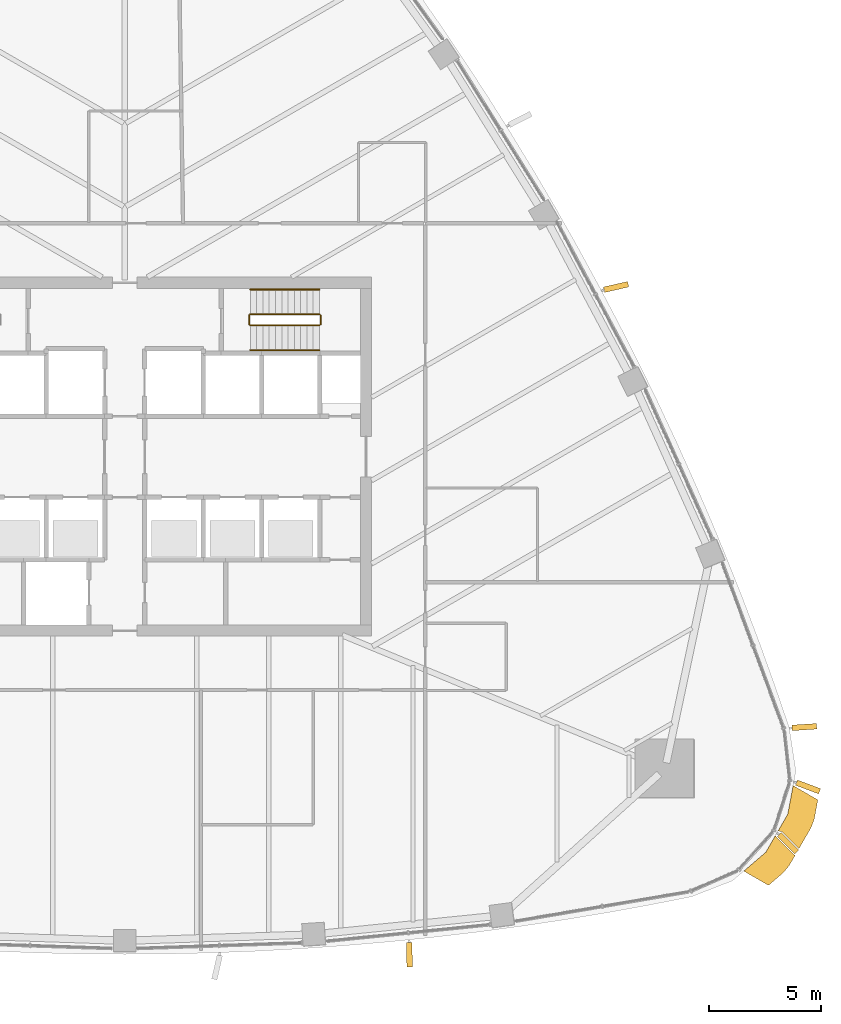
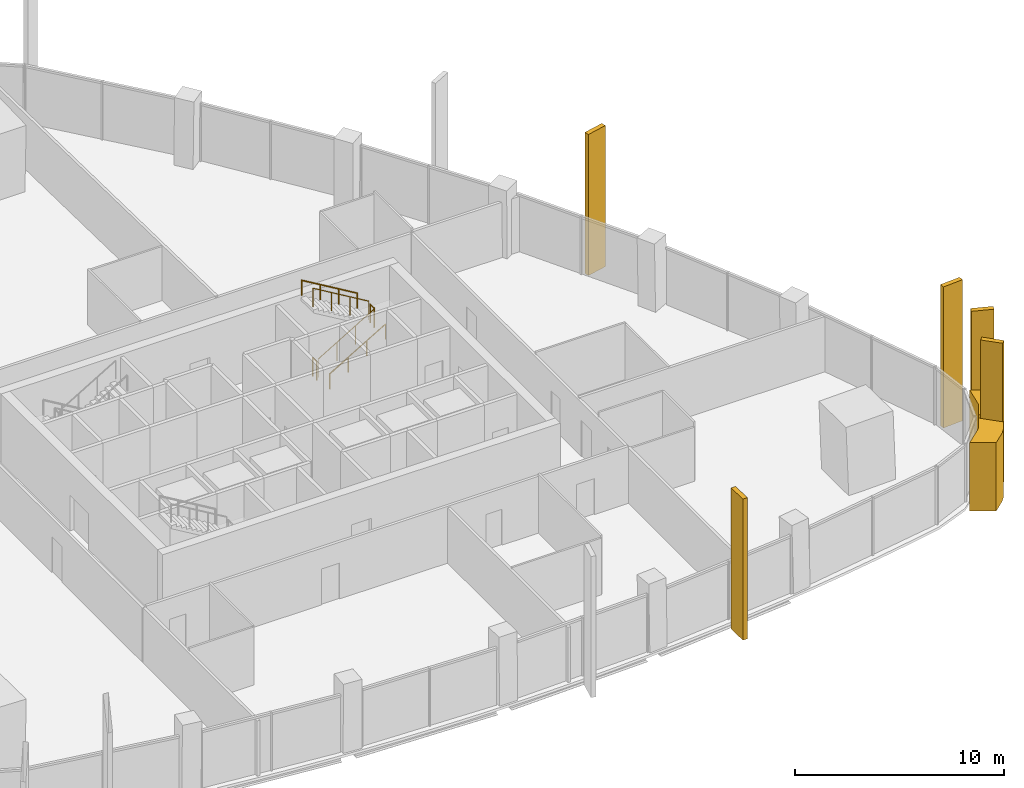
# One storey, part 18 of 20: 7 coverings, 6 railings.
"""IFC4 building model written with IfcOpenShell, lengths in metres."""

from ifc_helpers import new_model, si_unit, direction, frame, origin, origin_2d, place, context, subcontext, project, spatial, polyline, rectangle, circle, outline, extrude, material, layer, layer_set, material_profile, profile_set, type_object, element, save


model = new_model("IFC4")

# Units and contexts
model_context = context("Model", 3, precision=1e-05, world=origin(), true_north=direction((0.0, 1.0)))
body_context = subcontext(model_context, "Body", "Model", "MODEL_VIEW")
ifc_project = project(units=[si_unit("LENGTHUNIT", "METRE"), si_unit("AREAUNIT", "SQUARE_METRE"), si_unit("VOLUMEUNIT", "CUBIC_METRE"), si_unit("PLANEANGLEUNIT", "RADIAN"), si_unit("MASSUNIT", "GRAM", prefix="KILO")], contexts=[model_context])

# Site, building, storey
site_placement = place(None, origin())
site = spatial("IfcSite", under=ifc_project, at=site_placement, CompositionType="ELEMENT")
building_placement = place(site_placement, origin())
building = spatial("IfcBuilding", under=site, at=building_placement, Name="Sierra Prisma Convention Tower", CompositionType="ELEMENT")
storey_placement = place(building_placement, frame((0.0, 0.0, 161.800048828125)))
storey = spatial("IfcBuildingStorey", under=building, at=storey_placement, Name="L35", CompositionType="ELEMENT", Elevation=161.800048828125)

# Coverings
ifc_material_1 = material(Name="Aluminium composite bronze anodised", Category="aluminium")
ifc_layer = layer(ifc_material_1, 1.199951171875)
ifc_layer_set = layer_set([ifc_layer], Name="Bronze corner pier")
covering_type_1 = type_object("IfcCoveringType", Name="Bronze corner pier", PredefinedType="CLADDING", material=ifc_layer_set)
covering_1_placement = place(storey_placement, frame((0.0, 0.0, -0.60009765625)))
element("IfcCovering", 1, at=covering_1_placement, inside=storey, type_object=covering_type_1, Name="Corner pier SE L35.1", PredefinedType="CLADDING", context=body_context, shape_type="SweptSolid", body=[
    extrude(outline(polyline([(29.829345703125, -17.747802734375), (29.833740234375, -17.75), (29.83837890625, -17.751708984375), (29.84326171875, -17.752685546875), (29.847900390625, -17.75341796875), (29.852783203125, -17.75390625), (29.85791015625, -17.75341796875), (29.86279296875, -17.752685546875), (29.867431640625, -17.751708984375), (29.8720703125, -17.75), (29.87646484375, -17.747802734375), (29.880615234375, -17.745361328125), (29.884765625, -17.742431640625), (29.88818359375, -17.739013671875), (29.892578125, -17.73486328125), (29.6083984375, -18.226806640625), (29.3505859375, -18.53759765625), (28.68994140625, -19.1044921875), (27.58837890625, -18.468505859375), (28.5693359375, -17.626708984375), (29.00244140625, -16.87646484375), (29.028564453125, -16.94384765625), (29.030517578125, -16.94873046875), (29.033203125, -16.953125), (29.036376953125, -16.95751953125), (29.039794921875, -16.961181640625), (29.817626953125, -17.739013671875), (29.8212890625, -17.742431640625), (29.8251953125, -17.745361328125), (29.829345703125, -17.747802734375)])), origin(), (0.0, 0.0, 1.0), 4.0),
])
covering_2_placement = place(storey_placement, frame((0.0, 0.0, -0.60009765625)))
element("IfcCovering", 2, at=covering_2_placement, inside=storey, type_object=covering_type_1, Name="Corner pier SE L35.2", PredefinedType="CLADDING", context=body_context, shape_type="SweptSolid", body=[
    extrude(outline(polyline([(29.26611328125, -16.701171875), (29.26123046875, -16.7001953125), (29.25634765625, -16.699462890625), (29.1123046875, -16.6865234375), (29.5498046875, -15.928466796875), (29.788330078125, -14.657958984375), (30.889892578125, -15.2939453125), (30.729248046875, -16.149658203125), (30.589111328125, -16.5283203125), (30.044677734375, -17.47119140625), (29.287353515625, -16.7138671875), (29.28369140625, -16.71044921875), (29.279541015625, -16.70751953125), (29.275390625, -16.705078125), (29.270751953125, -16.702880859375), (29.26611328125, -16.701171875)])), origin(), (0.0, 0.0, 1.0), 4.0),
])
ifc_material_2 = material(Name="Aluminium 6063-T6 bronze anodised", Category="aluminium")
ifc_material_profile = material_profile(ifc_material_2, rectangle(XDim=1.10009765625, YDim=0.25, at=origin_2d()), Name="ALU FIN 1100x250")
ifc_profile_set = profile_set([ifc_material_profile], Name="Aluminium 6063-T6 bronze anodised")
covering_type_2 = type_object("IfcCoveringType", Name="Bronze facade fin", PredefinedType="CLADDING", material=ifc_profile_set)
for number, where, z_axis, x_axis, name in (
    (3, (12.6884765625, -22.20068359375, -0.300048828125), (0.0, 0.0, 1.0), (0.013738217857, -0.999905626232, 0.0), "Fin L35.14"),
    (4, (29.552490234375, -17.2265625, -0.300048828125), (0.0, 0.0, 1.0), (0.707106781187, -0.707106781187, 0.0), "Fin L35.20"),
    (5, (30.4501953125, -14.7177734375, -0.300048828125), (0.0, 0.0, 1.0), (0.935876823402, -0.352327363993, 0.0), "Fin L35.21"),
    (6, (30.287353515625, -12.050048828125, -0.300048828125), (0.0, 0.0, 1.0), (0.997869715814, 0.065238257658, 0.0), "Fin L35.22"),
    (7, (21.898681640625, 7.562744140625, -0.300048828125), (0.0, 0.0, 1.0), (0.975249146239, 0.221108802992, 0.0), "Fin L35.29"),
):
    element("IfcCovering", number, at=place(storey_placement, frame(where, z_axis=z_axis, x_axis=x_axis)), inside=storey, type_object=covering_type_2, Name=name, ObjectType="FIN", PredefinedType="CLADDING", context=body_context, shape_type="SweptSolid", body=[
        extrude(rectangle(XDim=1.10009765625, YDim=0.25, at=origin_2d()), origin(), (0.0, 0.0, 1.0), 8.25),
    ])

# Railings
ifc_material_3 = material(Name="Stainless steel", Category="steel")
railing_type_1 = type_object("IfcRailingType", Name="Exit stair handrail", PredefinedType="HANDRAIL", material=ifc_material_3)
railing_1_placement = place(storey_placement, frame((5.60009765625, 4.75, 0.16650390625)))
element("IfcRailing", 8, at=railing_1_placement, inside=storey, type_object=railing_type_1, Name="L35 S4 stair handrail 1", PredefinedType="HANDRAIL", context=body_context, shape_type="SweptSolid", body=[
    extrude(circle(Radius=0.02392578125, at=origin_2d()), frame((0.0, 0.0, 0.8759765625), z_axis=(0.859260807169, 0.0, 0.511537745687), x_axis=(0.0, 1.0, 0.0)), (0.0, 0.0, 1.0), 3.584228515625),
    extrude(circle(Radius=0.02099609375, at=origin_2d()), origin(), (0.0, 0.0, 1.0), 0.851806640625),
    extrude(circle(Radius=0.02099609375, at=origin_2d()), frame((1.026611328125, 0.0, 0.611083984375)), (0.0, 0.0, 1.0), 0.851806640625),
    extrude(circle(Radius=0.02099609375, at=origin_2d()), frame((2.05322265625, 0.0, 1.222412109375)), (0.0, 0.0, 1.0), 0.851806640625),
    extrude(circle(Radius=0.02099609375, at=origin_2d()), frame((3.079833984375, 0.0, 1.83349609375)), (0.0, 0.0, 1.0), 0.851806640625),
])
railing_2_placement = place(storey_placement, frame((8.679931640625, 7.449951171875, 2.16650390625)))
element("IfcRailing", 9, at=railing_2_placement, inside=storey, type_object=railing_type_1, Name="L35 S4 stair handrail 2", PredefinedType="HANDRAIL", context=body_context, shape_type="SweptSolid", body=[
    extrude(circle(Radius=0.02392578125, at=origin_2d()), frame((0.0, 0.0, 0.8759765625), z_axis=(-0.859260807169, 0.0, 0.511537745687), x_axis=(0.0, -1.0, 0.0)), (0.0, 0.0, 1.0), 3.584228515625),
    extrude(circle(Radius=0.02099609375, at=origin_2d()), origin(), (0.0, 0.0, 1.0), 0.851806640625),
    extrude(circle(Radius=0.02099609375, at=origin_2d()), frame((-1.026611328125, 0.0, 0.611083984375)), (0.0, 0.0, 1.0), 0.851806640625),
    extrude(circle(Radius=0.02099609375, at=origin_2d()), frame((-2.05322265625, 0.0, 1.222412109375)), (0.0, 0.0, 1.0), 0.851806640625),
    extrude(circle(Radius=0.02099609375, at=origin_2d()), frame((-3.079833984375, 0.0, 1.83349609375)), (0.0, 0.0, 1.0), 0.851806640625),
])
ifc_material_4 = material(Name="Stainless steel", Category="steel")
railing_type_2 = type_object("IfcRailingType", Name="Stair guard 1100", PredefinedType="GUARDRAIL", material=ifc_material_4)
railing_3_placement = place(storey_placement, frame((5.60009765625, 5.85009765625, 0.16650390625)))
element("IfcRailing", 10, at=railing_3_placement, inside=storey, type_object=railing_type_2, Name="L35 S4 stair guard 1", PredefinedType="GUARDRAIL", context=body_context, shape_type="SweptSolid", body=[
    extrude(circle(Radius=0.02392578125, at=origin_2d()), frame((0.0, 0.0, 1.076171875), z_axis=(0.859260807169, 0.0, 0.511537745687), x_axis=(0.0, 1.0, 0.0)), (0.0, 0.0, 1.0), 3.584228515625),
    extrude(circle(Radius=0.02099609375, at=origin_2d()), origin(), (0.0, 0.0, 1.0), 1.052001953125),
    extrude(circle(Radius=0.02099609375, at=origin_2d()), frame((1.026611328125, 0.0, 0.611083984375)), (0.0, 0.0, 1.0), 1.052001953125),
    extrude(circle(Radius=0.02099609375, at=origin_2d()), frame((2.05322265625, 0.0, 1.222412109375)), (0.0, 0.0, 1.0), 1.052001953125),
    extrude(circle(Radius=0.02099609375, at=origin_2d()), frame((3.079833984375, 0.0, 1.83349609375)), (0.0, 0.0, 1.0), 1.052001953125),
])
railing_4_placement = place(storey_placement, frame((8.72998046875, 5.89990234375, 2.0)))
element("IfcRailing", 11, at=railing_4_placement, inside=storey, type_object=railing_type_2, Name="L35 S4 stair guard 2", PredefinedType="GUARDRAIL", context=body_context, shape_type="SweptSolid", body=[
    extrude(circle(Radius=0.02392578125, at=origin_2d()), frame((0.0, 0.0, 1.076171875), z_axis=(0.0, 1.0, 0.0), x_axis=(-1.0, 0.0, 0.0)), (0.0, 0.0, 1.0), 0.400146484375),
    extrude(circle(Radius=0.02099609375, at=origin_2d()), origin(), (0.0, 0.0, 1.0), 1.052001953125),
    extrude(circle(Radius=0.02099609375, at=origin_2d()), frame((0.0, 0.400146484375, 0.0)), (0.0, 0.0, 1.0), 1.052001953125),
])
railing_5_placement = place(storey_placement, frame((8.679931640625, 6.35009765625, 2.16650390625)))
element("IfcRailing", 12, at=railing_5_placement, inside=storey, type_object=railing_type_2, Name="L35 S4 stair guard 3", PredefinedType="GUARDRAIL", context=body_context, shape_type="SweptSolid", body=[
    extrude(circle(Radius=0.02392578125, at=origin_2d()), frame((0.0, 0.0, 1.076171875), z_axis=(-0.859260807169, 0.0, 0.511537745687), x_axis=(0.0, -1.0, 0.0)), (0.0, 0.0, 1.0), 3.584228515625),
    extrude(circle(Radius=0.02099609375, at=origin_2d()), origin(), (0.0, 0.0, 1.0), 1.052001953125),
    extrude(circle(Radius=0.02099609375, at=origin_2d()), frame((-1.026611328125, 0.0, 0.611083984375)), (0.0, 0.0, 1.0), 1.052001953125),
    extrude(circle(Radius=0.02099609375, at=origin_2d()), frame((-2.05322265625, 0.0, 1.222412109375)), (0.0, 0.0, 1.0), 1.052001953125),
    extrude(circle(Radius=0.02099609375, at=origin_2d()), frame((-3.079833984375, 0.0, 1.83349609375)), (0.0, 0.0, 1.0), 1.052001953125),
])
railing_6_placement = place(storey_placement, frame((5.550048828125, 5.89990234375, 0.0)))
element("IfcRailing", 13, at=railing_6_placement, inside=storey, type_object=railing_type_2, Name="L35 S4 stair guard 4", PredefinedType="GUARDRAIL", context=body_context, shape_type="SweptSolid", body=[
    extrude(circle(Radius=0.02392578125, at=origin_2d()), frame((0.0, 0.0, 1.076171875), z_axis=(0.0, 1.0, 0.0), x_axis=(-1.0, 0.0, 0.0)), (0.0, 0.0, 1.0), 0.400146484375),
    extrude(circle(Radius=0.02099609375, at=origin_2d()), origin(), (0.0, 0.0, 1.0), 1.052001953125),
    extrude(circle(Radius=0.02099609375, at=origin_2d()), frame((0.0, 0.400146484375, 0.0)), (0.0, 0.0, 1.0), 1.052001953125),
])

save(model, "model.ifc")
